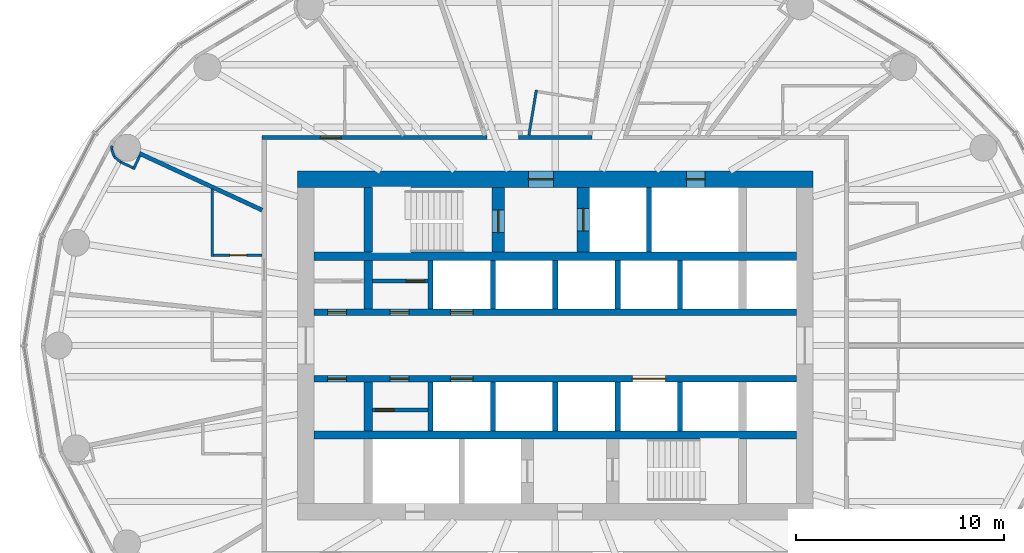
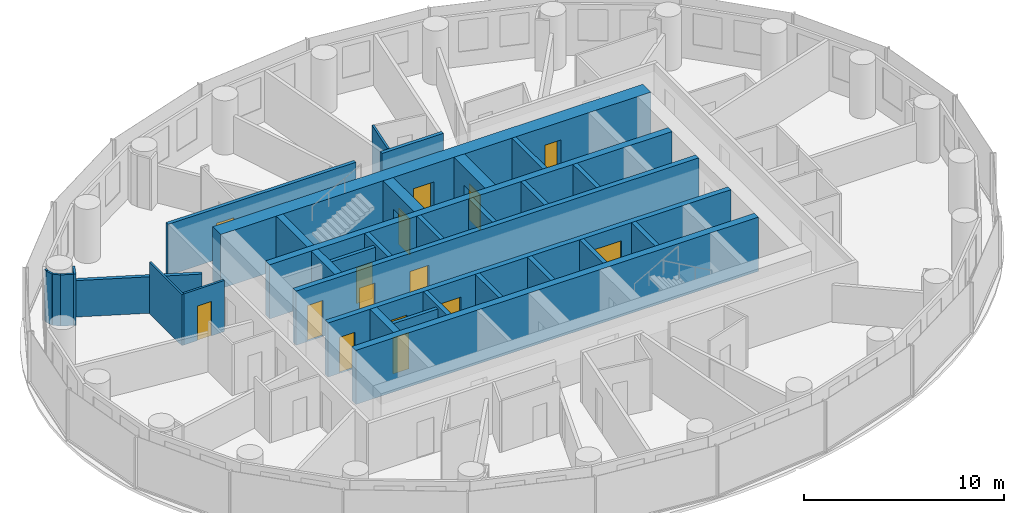
# One storey, part 8 of 13: 34 walls, 15 doors, 15 openings.
"""IFC4 building model written with IfcOpenShell, lengths in metres."""

from ifc_helpers import new_model, si_unit, direction, frame, frame_2d, origin, place, context, subcontext, project, spatial, rectangle, extrude, material, layer, layer_set, type_object, element, fill, save


model = new_model("IFC4")

# Units and contexts
model_context = context("Model", 3, precision=1e-05, world=origin(), true_north=direction((0.0, 1.0)))
body_context = subcontext(model_context, "Body", "Model", "MODEL_VIEW")
ifc_project = project(units=[si_unit("LENGTHUNIT", "METRE"), si_unit("AREAUNIT", "SQUARE_METRE"), si_unit("VOLUMEUNIT", "CUBIC_METRE"), si_unit("PLANEANGLEUNIT", "RADIAN"), si_unit("MASSUNIT", "GRAM", prefix="KILO")], contexts=[model_context])

# Site, building, storey
site_placement = place(None, origin())
site = spatial("IfcSite", under=ifc_project, at=site_placement, CompositionType="ELEMENT")
building_placement = place(site_placement, origin())
building = spatial("IfcBuilding", under=site, at=building_placement, Name="Hankou Lantern Tower", CompositionType="ELEMENT")
storey_placement = place(building_placement, frame((0.0, 0.0, 105.60009765625)))
storey = spatial("IfcBuildingStorey", under=building, at=storey_placement, Name="L26", CompositionType="ELEMENT", Elevation=105.60009765625)

# Wall, openings, doors
ifc_material_1 = material(Name="Concrete C60", Category="concrete")
ifc_layer_1 = layer(ifc_material_1, 0.800048828125)
ifc_layer_set_1 = layer_set([ifc_layer_1], Name="Concrete C60")
wall_type_1 = type_object("IfcWallType", Name="CW2 CORE WALL 800", PredefinedType="SHEAR", material=ifc_layer_set_1)
wall_1_placement = place(storey_placement, frame((-12.39990234375, 8.0, 0.0), z_axis=(0.0, 0.0, 1.0), x_axis=(1.0, 0.0, 0.0)))
wall_1 = element("IfcWall", 1, at=wall_1_placement, inside=storey, type_object=wall_type_1, Name="Core wall north L26", PredefinedType="SHEAR", context=body_context, shape_type="SweptSolid", body=[
    extrude(rectangle(XDim=24.7998046875, YDim=0.800048828125, at=frame_2d((12.39990234375, 0.0))), origin(), (0.0, 0.0, 1.0), 3.2998046875),
])
opening_1_placement = place(wall_1_placement, frame((11.10009765625, 0.0, 0.0)))
opening_1 = element("IfcOpeningElement", 2, at=opening_1_placement, cuts=wall_1, Name="Opening D5", PredefinedType="OPENING", context=body_context, shape_type="SweptSolid", body=[
    extrude(rectangle(XDim=1.199951171875, YDim=2.199951171875, at=frame_2d((0.60009765625, 1.10009765625))), frame((0.0, 0.409912109375, 0.0), z_axis=(0.0, -1.0, 0.0), x_axis=(1.0, 0.0, 0.0)), (0.0, 0.0, 1.0), 0.820068359375),
])
opening_2_placement = place(wall_1_placement, frame((18.699951171875, 0.0, 0.0)))
opening_2 = element("IfcOpeningElement", 3, at=opening_2_placement, cuts=wall_1, Name="Opening D7", PredefinedType="OPENING", context=body_context, shape_type="SweptSolid", body=[
    extrude(rectangle(XDim=0.89990234375, YDim=2.199951171875, at=frame_2d((0.449951171875, 1.10009765625))), frame((0.0, 0.409912109375, 0.0), z_axis=(0.0, -1.0, 0.0), x_axis=(1.0, 0.0, 0.0)), (0.0, 0.0, 1.0), 0.820068359375),
])
ifc_material_2 = material(Name="Steel door leaf", Category="steel")
door_type_1 = type_object("IfcDoorType", Name="D5 STAIR LOBBY DOOR 1200X2200", OperationType="SINGLE_SWING_LEFT", PredefinedType="DOOR", material=ifc_material_2)
door_1_placement = place(opening_1_placement, origin())
door_1 = element("IfcDoor", 4, at=door_1_placement, inside=storey, type_object=door_type_1, Name="Stair A lobby door", OperationType="SINGLE_SWING_LEFT", OverallHeight=2.199951171875, OverallWidth=1.199951171875, PredefinedType="DOOR", context=body_context, shape_type="SweptSolid", body=[
    extrude(rectangle(XDim=1.199951171875, YDim=2.199951171875, at=frame_2d((0.60009765625, 1.10009765625))), frame((0.0, 0.02490234375, 0.0), z_axis=(0.0, -1.0, 0.0), x_axis=(1.0, 0.0, 0.0)), (0.0, 0.0, 1.0), 0.050048828125),
])
fill(opening_1, door_1)
ifc_material_3 = material(Name="Steel door leaf", Category="steel")
door_type_2 = type_object("IfcDoorType", Name="D7 RISER DOOR 900X2200", OperationType="SINGLE_SWING_LEFT", PredefinedType="DOOR", material=ifc_material_3)
door_2_placement = place(opening_2_placement, origin())
door_2 = element("IfcDoor", 5, at=door_2_placement, inside=storey, type_object=door_type_2, Name="Riser N1 door", OperationType="SINGLE_SWING_RIGHT", OverallHeight=2.199951171875, OverallWidth=0.89990234375, PredefinedType="DOOR", context=body_context, shape_type="SweptSolid", body=[
    extrude(rectangle(XDim=0.89990234375, YDim=2.199951171875, at=frame_2d((0.449951171875, 1.10009765625))), frame((0.0, 0.02490234375, 0.0), z_axis=(0.0, -1.0, 0.0), x_axis=(1.0, 0.0, 0.0)), (0.0, 0.0, 1.0), 0.050048828125),
])
fill(opening_2, door_2)

# Walls
ifc_material_4 = material(Name="Concrete C60", Category="concrete")
ifc_layer_2 = layer(ifc_material_4, 0.39990234375)
ifc_layer_set_2 = layer_set([ifc_layer_2], Name="Concrete C60")
wall_type_2 = type_object("IfcWallType", Name="CW4 CORE CROSS WALL 400", PredefinedType="SHEAR", material=ifc_layer_set_2)
for number, where, z_axis, x_axis, name in (
    (6, (-11.60009765625, 4.300048828125, 0.0), (0.0, 0.0, 1.0), (1.0, 0.0, 0.0), "Core band wall north L26"),
    (7, (-11.60009765625, -4.300048828125, 0.0), (0.0, 0.0, 1.0), (1.0, 0.0, 0.0), "Core band wall south L26"),
):
    element("IfcWall", number, at=place(storey_placement, frame(where, z_axis=z_axis, x_axis=x_axis)), inside=storey, type_object=wall_type_2, Name=name, PredefinedType="SHEAR", context=body_context, shape_type="SweptSolid", body=[
        extrude(rectangle(XDim=23.2001953125, YDim=0.39990234375, at=frame_2d((11.60009765625, 0.0))), origin(), (0.0, 0.0, 1.0), 3.2998046875),
    ])
wall_2_placement = place(storey_placement, frame((-9.0, 4.5, 0.0), z_axis=(0.0, 0.0, 1.0), x_axis=(0.0, 1.0, 0.0)))
element("IfcWall", 8, at=wall_2_placement, inside=storey, type_object=wall_type_2, Name="Core strip wall L26", PredefinedType="SHEAR", context=body_context, shape_type="SweptSolid", body=[
    extrude(rectangle(XDim=3.10009765625, YDim=0.39990234375, at=frame_2d((1.550048828125, 0.0))), origin(), (0.0, 0.0, 1.0), 3.2998046875),
])
for number, where, z_axis, x_axis, name in (
    (9, (-9.0, 1.75, 0.0), (0.0, 0.0, 1.0), (0.0, 1.0, 0.0), "Core strip wall L26"),
    (10, (-9.0, -4.10009765625, 0.0), (0.0, 0.0, 1.0), (0.0, 1.0, 0.0), "Core strip wall L26"),
):
    element("IfcWall", number, at=place(storey_placement, frame(where, z_axis=z_axis, x_axis=x_axis)), inside=storey, type_object=wall_type_2, Name=name, PredefinedType="SHEAR", context=body_context, shape_type="SweptSolid", body=[
        extrude(rectangle(XDim=2.35009765625, YDim=0.39990234375, at=frame_2d((1.175048828125, 0.0))), origin(), (0.0, 0.0, 1.0), 3.2998046875),
    ])

# Wall, openings, doors
ifc_material_5 = material(Name="Concrete C60", Category="concrete")
ifc_layer_3 = layer(ifc_material_5, 0.300048828125)
ifc_layer_set_3 = layer_set([ifc_layer_3], Name="Concrete C60")
wall_type_3 = type_object("IfcWallType", Name="CW5 LIFT LOBBY WALL 300", PredefinedType="SHEAR", material=ifc_layer_set_3)
wall_3_placement = place(storey_placement, frame((-11.60009765625, 1.60009765625, 0.0), z_axis=(0.0, 0.0, 1.0), x_axis=(1.0, 0.0, 0.0)))
wall_3 = element("IfcWall", 11, at=wall_3_placement, inside=storey, type_object=wall_type_3, Name="Lift lobby wall north L26", PredefinedType="SHEAR", context=body_context, shape_type="SweptSolid", body=[
    extrude(rectangle(XDim=23.2001953125, YDim=0.300048828125, at=frame_2d((11.60009765625, 0.0))), origin(), (0.0, 0.0, 1.0), 3.2998046875),
])
opening_3_placement = place(wall_3_placement, frame((6.550048828125, 0.0, 0.0)))
opening_3 = element("IfcOpeningElement", 12, at=opening_3_placement, cuts=wall_3, Name="Opening LD1", PredefinedType="OPENING", context=body_context, shape_type="SweptSolid", body=[
    extrude(rectangle(XDim=1.10009765625, YDim=2.199951171875, at=frame_2d((0.550048828125, 1.10009765625))), frame((0.0, 0.159912109375, 0.0), z_axis=(0.0, -1.0, 0.0), x_axis=(1.0, 0.0, 0.0)), (0.0, 0.0, 1.0), 0.320068359375),
])
opening_4_placement = place(wall_3_placement, frame((3.64990234375, 0.0, 0.0)))
opening_4 = element("IfcOpeningElement", 13, at=opening_4_placement, cuts=wall_3, Name="Opening D30", PredefinedType="OPENING", context=body_context, shape_type="SweptSolid", body=[
    extrude(rectangle(XDim=0.89990234375, YDim=2.199951171875, at=frame_2d((0.449951171875, 1.10009765625))), frame((0.0, 0.159912109375, 0.0), z_axis=(0.0, -1.0, 0.0), x_axis=(1.0, 0.0, 0.0)), (0.0, 0.0, 1.0), 0.320068359375),
])
opening_5_placement = place(wall_3_placement, frame((0.64990234375, 0.0, 0.0)))
opening_5 = element("IfcOpeningElement", 14, at=opening_5_placement, cuts=wall_3, Name="Opening D30", PredefinedType="OPENING", context=body_context, shape_type="SweptSolid", body=[
    extrude(rectangle(XDim=0.89990234375, YDim=2.199951171875, at=frame_2d((0.449951171875, 1.10009765625))), frame((0.0, 0.159912109375, 0.0), z_axis=(0.0, -1.0, 0.0), x_axis=(1.0, 0.0, 0.0)), (0.0, 0.0, 1.0), 0.320068359375),
])
ifc_material_6 = material(Name="Steel door leaf", Category="steel")
door_type_3 = type_object("IfcDoorType", Name="D30 CORE ROOM DOOR 900X2200", OperationType="SINGLE_SWING_LEFT", PredefinedType="DOOR", material=ifc_material_6)
door_3_placement = place(opening_4_placement, origin())
door_3 = element("IfcDoor", 15, at=door_3_placement, inside=storey, type_object=door_type_3, Name="Housekeeping and linen store door", OperationType="SINGLE_SWING_LEFT", OverallHeight=2.199951171875, OverallWidth=0.89990234375, PredefinedType="DOOR", context=body_context, shape_type="SweptSolid", body=[
    extrude(rectangle(XDim=0.89990234375, YDim=2.199951171875, at=frame_2d((0.449951171875, 1.10009765625))), frame((0.0, 0.02490234375, 0.0), z_axis=(0.0, -1.0, 0.0), x_axis=(1.0, 0.0, 0.0)), (0.0, 0.0, 1.0), 0.050048828125),
])
fill(opening_4, door_3)
door_4_placement = place(opening_5_placement, origin())
door_4 = element("IfcDoor", 16, at=door_4_placement, inside=storey, type_object=door_type_3, Name="Guest pantry and ice room door", OperationType="SINGLE_SWING_LEFT", OverallHeight=2.199951171875, OverallWidth=0.89990234375, PredefinedType="DOOR", context=body_context, shape_type="SweptSolid", body=[
    extrude(rectangle(XDim=0.89990234375, YDim=2.199951171875, at=frame_2d((0.449951171875, 1.10009765625))), frame((0.0, 0.02490234375, 0.0), z_axis=(0.0, -1.0, 0.0), x_axis=(1.0, 0.0, 0.0)), (0.0, 0.0, 1.0), 0.050048828125),
])
fill(opening_5, door_4)
ifc_material_7 = material(Name="Steel door leaf", Category="steel")
door_type_4 = type_object("IfcDoorType", Name="LD1 LIFT LANDING DOOR 1100X2200", OperationType="DOUBLE_DOOR_SLIDING", PredefinedType="DOOR", material=ifc_material_7)
door_5_placement = place(opening_3_placement, origin())
door_5 = element("IfcDoor", 17, at=door_5_placement, inside=storey, type_object=door_type_4, Name="Lift M1 landing door", OperationType="DOUBLE_DOOR_SLIDING", OverallHeight=2.199951171875, OverallWidth=1.10009765625, PredefinedType="DOOR", context=body_context, shape_type="SweptSolid", body=[
    extrude(rectangle(XDim=1.10009765625, YDim=2.199951171875, at=frame_2d((0.550048828125, 1.10009765625))), frame((0.0, 0.02490234375, 0.0), z_axis=(0.0, -1.0, 0.0), x_axis=(1.0, 0.0, 0.0)), (0.0, 0.0, 1.0), 0.050048828125),
])
fill(opening_3, door_5)

wall_4_placement = place(storey_placement, frame((-11.60009765625, -1.60009765625, 0.0), z_axis=(0.0, 0.0, 1.0), x_axis=(1.0, 0.0, 0.0)))
wall_4 = element("IfcWall", 18, at=wall_4_placement, inside=storey, type_object=wall_type_3, Name="Lift lobby wall south L26", PredefinedType="SHEAR", context=body_context, shape_type="SweptSolid", body=[
    extrude(rectangle(XDim=23.2001953125, YDim=0.300048828125, at=frame_2d((11.60009765625, 0.0))), origin(), (0.0, 0.0, 1.0), 3.2998046875),
])
opening_6_placement = place(wall_4_placement, frame((6.550048828125, 0.0, 0.0)))
opening_6 = element("IfcOpeningElement", 19, at=opening_6_placement, cuts=wall_4, Name="Opening LD1", PredefinedType="OPENING", context=body_context, shape_type="SweptSolid", body=[
    extrude(rectangle(XDim=1.10009765625, YDim=2.199951171875, at=frame_2d((0.550048828125, 1.10009765625))), frame((0.0, 0.159912109375, 0.0), z_axis=(0.0, -1.0, 0.0), x_axis=(1.0, 0.0, 0.0)), (0.0, 0.0, 1.0), 0.320068359375),
])
opening_7_placement = place(wall_4_placement, frame((15.300048828125, 0.0, 0.0)))
opening_7 = element("IfcOpeningElement", 20, at=opening_7_placement, cuts=wall_4, Name="Opening LD4", PredefinedType="OPENING", context=body_context, shape_type="SweptSolid", body=[
    extrude(rectangle(XDim=1.60009765625, YDim=2.39990234375, at=frame_2d((0.800048828125, 1.199951171875))), frame((0.0, 0.159912109375, 0.0), z_axis=(0.0, -1.0, 0.0), x_axis=(1.0, 0.0, 0.0)), (0.0, 0.0, 1.0), 0.320068359375),
])
opening_8_placement = place(wall_4_placement, frame((0.64990234375, 0.0, 0.0)))
opening_8 = element("IfcOpeningElement", 21, at=opening_8_placement, cuts=wall_4, Name="Opening D30", PredefinedType="OPENING", context=body_context, shape_type="SweptSolid", body=[
    extrude(rectangle(XDim=0.89990234375, YDim=2.199951171875, at=frame_2d((0.449951171875, 1.10009765625))), frame((0.0, 0.159912109375, 0.0), z_axis=(0.0, -1.0, 0.0), x_axis=(1.0, 0.0, 0.0)), (0.0, 0.0, 1.0), 0.320068359375),
])
opening_9_placement = place(wall_4_placement, frame((3.64990234375, 0.0, 0.0)))
opening_9 = element("IfcOpeningElement", 22, at=opening_9_placement, cuts=wall_4, Name="Opening D30", PredefinedType="OPENING", context=body_context, shape_type="SweptSolid", body=[
    extrude(rectangle(XDim=0.89990234375, YDim=2.199951171875, at=frame_2d((0.449951171875, 1.10009765625))), frame((0.0, 0.159912109375, 0.0), z_axis=(0.0, -1.0, 0.0), x_axis=(1.0, 0.0, 0.0)), (0.0, 0.0, 1.0), 0.320068359375),
])
door_6_placement = place(opening_8_placement, origin())
door_6 = element("IfcDoor", 23, at=door_6_placement, inside=storey, type_object=door_type_3, Name="Vending room door", OperationType="SINGLE_SWING_LEFT", OverallHeight=2.199951171875, OverallWidth=0.89990234375, PredefinedType="DOOR", context=body_context, shape_type="SweptSolid", body=[
    extrude(rectangle(XDim=0.89990234375, YDim=2.199951171875, at=frame_2d((0.449951171875, 1.10009765625))), frame((0.0, 0.02490234375, 0.0), z_axis=(0.0, -1.0, 0.0), x_axis=(1.0, 0.0, 0.0)), (0.0, 0.0, 1.0), 0.050048828125),
])
fill(opening_8, door_6)
door_7_placement = place(opening_9_placement, origin())
door_7 = element("IfcDoor", 24, at=door_7_placement, inside=storey, type_object=door_type_3, Name="Room service pantry door", OperationType="SINGLE_SWING_LEFT", OverallHeight=2.199951171875, OverallWidth=0.89990234375, PredefinedType="DOOR", context=body_context, shape_type="SweptSolid", body=[
    extrude(rectangle(XDim=0.89990234375, YDim=2.199951171875, at=frame_2d((0.449951171875, 1.10009765625))), frame((0.0, 0.02490234375, 0.0), z_axis=(0.0, -1.0, 0.0), x_axis=(1.0, 0.0, 0.0)), (0.0, 0.0, 1.0), 0.050048828125),
])
fill(opening_9, door_7)
door_8_placement = place(opening_6_placement, origin())
door_8 = element("IfcDoor", 25, at=door_8_placement, inside=storey, type_object=door_type_4, Name="Lift M2 landing door", OperationType="DOUBLE_DOOR_SLIDING", OverallHeight=2.199951171875, OverallWidth=1.10009765625, PredefinedType="DOOR", context=body_context, shape_type="SweptSolid", body=[
    extrude(rectangle(XDim=1.10009765625, YDim=2.199951171875, at=frame_2d((0.550048828125, 1.10009765625))), frame((0.0, 0.02490234375, 0.0), z_axis=(0.0, -1.0, 0.0), x_axis=(1.0, 0.0, 0.0)), (0.0, 0.0, 1.0), 0.050048828125),
])
fill(opening_6, door_8)
ifc_material_8 = material(Name="Steel door leaf", Category="steel")
door_type_5 = type_object("IfcDoorType", Name="LD4 SERVICE LIFT LANDING DOOR 1600X2400", OperationType="DOUBLE_DOOR_SLIDING", PredefinedType="DOOR", material=ifc_material_8)
door_9_placement = place(opening_7_placement, origin())
door_9 = element("IfcDoor", 26, at=door_9_placement, inside=storey, type_object=door_type_5, Name="Lift SV1 landing door", OperationType="DOUBLE_DOOR_SLIDING", OverallHeight=2.39990234375, OverallWidth=1.60009765625, PredefinedType="DOOR", context=body_context, shape_type="SweptSolid", body=[
    extrude(rectangle(XDim=1.60009765625, YDim=2.39990234375, at=frame_2d((0.800048828125, 1.199951171875))), frame((0.0, 0.02490234375, 0.0), z_axis=(0.0, -1.0, 0.0), x_axis=(1.0, 0.0, 0.0)), (0.0, 0.0, 1.0), 0.050048828125),
])
fill(opening_7, door_9)

# Wall, opening, door
ifc_material_9 = material(Name="Concrete C60", Category="concrete")
ifc_layer_4 = layer(ifc_material_9, 0.60009765625)
ifc_layer_set_4 = layer_set([ifc_layer_4], Name="Concrete C60")
wall_type_4 = type_object("IfcWallType", Name="CW6 STAIR AND SHAFT WALL 600", PredefinedType="SHEAR", material=ifc_layer_set_4)
wall_5_placement = place(storey_placement, frame((-2.75, 4.5, 0.0), z_axis=(0.0, 0.0, 1.0), x_axis=(0.0, 1.0, 0.0)))
wall_5 = element("IfcWall", 27, at=wall_5_placement, inside=storey, type_object=wall_type_4, Name="Stair wall L26", PredefinedType="SHEAR", context=body_context, shape_type="SweptSolid", body=[
    extrude(rectangle(XDim=3.10009765625, YDim=0.60009765625, at=frame_2d((1.550048828125, 0.0))), origin(), (0.0, 0.0, 1.0), 3.2998046875),
])
opening_10_placement = place(wall_5_placement, frame((0.925048828125, 0.0, 0.0)))
opening_10 = element("IfcOpeningElement", 28, at=opening_10_placement, cuts=wall_5, Name="Opening D4", PredefinedType="OPENING", context=body_context, shape_type="SweptSolid", body=[
    extrude(rectangle(XDim=1.10009765625, YDim=2.199951171875, at=frame_2d((0.550048828125, 1.10009765625))), frame((0.0, 0.31005859375, 0.0), z_axis=(0.0, -1.0, 0.0), x_axis=(1.0, 0.0, 0.0)), (0.0, 0.0, 1.0), 0.6201171875),
])
ifc_material_10 = material(Name="Steel door leaf", Category="steel")
door_type_6 = type_object("IfcDoorType", Name="D4 STAIR DOOR 1100X2200", OperationType="SINGLE_SWING_LEFT", PredefinedType="DOOR", material=ifc_material_10)
door_10_placement = place(opening_10_placement, origin())
door_10 = element("IfcDoor", 29, at=door_10_placement, inside=storey, type_object=door_type_6, Name="Stair A door", OperationType="SINGLE_SWING_LEFT", OverallHeight=2.199951171875, OverallWidth=1.10009765625, PredefinedType="DOOR", context=body_context, shape_type="SweptSolid", body=[
    extrude(rectangle(XDim=1.10009765625, YDim=2.199951171875, at=frame_2d((0.550048828125, 1.10009765625))), frame((0.0, 0.02490234375, 0.0), z_axis=(0.0, -1.0, 0.0), x_axis=(1.0, 0.0, 0.0)), (0.0, 0.0, 1.0), 0.050048828125),
])
fill(opening_10, door_10)

wall_6_placement = place(storey_placement, frame((1.35009765625, 4.5, 0.0), z_axis=(0.0, 0.0, 1.0), x_axis=(0.0, 1.0, 0.0)))
wall_6 = element("IfcWall", 30, at=wall_6_placement, inside=storey, type_object=wall_type_4, Name="Firefighting lift shaft wall L26", PredefinedType="SHEAR", context=body_context, shape_type="SweptSolid", body=[
    extrude(rectangle(XDim=3.10009765625, YDim=0.60009765625, at=frame_2d((1.550048828125, 0.0))), origin(), (0.0, 0.0, 1.0), 3.2998046875),
])
opening_11_placement = place(wall_6_placement, frame((1.0, 0.0, 0.0)))
opening_11 = element("IfcOpeningElement", 31, at=opening_11_placement, cuts=wall_6, Name="Opening LD2", PredefinedType="OPENING", context=body_context, shape_type="SweptSolid", body=[
    extrude(rectangle(XDim=1.10009765625, YDim=2.199951171875, at=frame_2d((0.550048828125, 1.10009765625))), frame((0.0, 0.31005859375, 0.0), z_axis=(0.0, -1.0, 0.0), x_axis=(1.0, 0.0, 0.0)), (0.0, 0.0, 1.0), 0.6201171875),
])
ifc_material_11 = material(Name="Steel door leaf", Category="steel")
door_type_7 = type_object("IfcDoorType", Name="LD2 FIREFIGHTING LIFT LANDING DOOR 1100X2200", OperationType="DOUBLE_DOOR_SLIDING", PredefinedType="DOOR", material=ifc_material_11)
door_11_placement = place(opening_11_placement, origin())
door_11 = element("IfcDoor", 32, at=door_11_placement, inside=storey, type_object=door_type_7, Name="Firefighting lift FL1 landing door", OperationType="DOUBLE_DOOR_SLIDING", OverallHeight=2.199951171875, OverallWidth=1.10009765625, PredefinedType="DOOR", context=body_context, shape_type="SweptSolid", body=[
    extrude(rectangle(XDim=1.10009765625, YDim=2.199951171875, at=frame_2d((0.550048828125, 1.10009765625))), frame((0.0, 0.02490234375, 0.0), z_axis=(0.0, -1.0, 0.0), x_axis=(1.0, 0.0, 0.0)), (0.0, 0.0, 1.0), 0.050048828125),
])
fill(opening_11, door_11)

# Wall
ifc_material_12 = material(Name="Masonry lightweight concrete block", Category="masonry")
ifc_layer_5 = layer(ifc_material_12, 0.199951171875)
ifc_layer_set_5 = layer_set([ifc_layer_5], Name="Masonry lightweight concrete block")
wall_type_5 = type_object("IfcWallType", Name="IW1 GUEST ROOM PARTY WALL 200", PredefinedType="PARTITIONING", material=ifc_layer_set_5)
wall_7_placement = place(storey_placement, frame((-14.10009765625, 6.512451171875, 0.0), z_axis=(0.0, 0.0, 1.0), x_axis=(-0.907833019998, 0.419331858797, 0.0)))
element("IfcWall", 33, at=wall_7_placement, inside=storey, type_object=wall_type_5, Name="Party wall R11", PredefinedType="PARTITIONING", context=body_context, shape_type="SweptSolid", body=[
    extrude(rectangle(XDim=6.505126953125, YDim=0.199951171875, at=frame_2d((3.25244140625, 0.0))), origin(), (0.0, 0.0, 1.0), 2.219970703125),
])

# Wall, opening, door
ifc_material_13 = material(Name="Masonry lightweight concrete block", Category="masonry")
ifc_layer_6 = layer(ifc_material_13, 0.199951171875)
ifc_layer_set_6 = layer_set([ifc_layer_6], Name="Masonry lightweight concrete block")
wall_type_6 = type_object("IfcWallType", Name="IW2 CORRIDOR WALL 200", PredefinedType="PARTITIONING", material=ifc_layer_set_6)
wall_8_placement = place(storey_placement, frame((-14.10009765625, 10.0, 0.0), z_axis=(0.0, 0.0, 1.0), x_axis=(1.0, 0.0, 0.0)))
wall_8 = element("IfcWall", 34, at=wall_8_placement, inside=storey, type_object=wall_type_6, Name="Corridor wall north", PredefinedType="PARTITIONING", context=body_context, shape_type="SweptSolid", body=[
    extrude(rectangle(XDim=10.817138671875, YDim=0.199951171875, at=frame_2d((5.40869140625, 0.0))), origin(), (0.0, 0.0, 1.0), 3.119873046875),
])
opening_12_placement = place(wall_8_placement, frame((2.801025390625, 0.0, 0.0)))
opening_12 = element("IfcOpeningElement", 35, at=opening_12_placement, cuts=wall_8, Name="Opening D2", PredefinedType="OPENING", context=body_context, shape_type="SweptSolid", body=[
    extrude(rectangle(XDim=1.0, YDim=2.199951171875, at=frame_2d((0.5, 1.10009765625))), frame((0.0, 0.10986328125, 0.0), z_axis=(0.0, -1.0, 0.0), x_axis=(1.0, 0.0, 0.0)), (0.0, 0.0, 1.0), 0.219970703125),
])
ifc_material_14 = material(Name="Steel door leaf", Category="steel")
door_type_8 = type_object("IfcDoorType", Name="D2 SUITE DOOR 1000X2200", OperationType="SINGLE_SWING_LEFT", PredefinedType="DOOR", material=ifc_material_14)
door_12_placement = place(opening_12_placement, origin())
door_12 = element("IfcDoor", 36, at=door_12_placement, inside=storey, type_object=door_type_8, Name="Suite door 2605", OperationType="SINGLE_SWING_RIGHT", OverallHeight=2.199951171875, OverallWidth=1.0, PredefinedType="DOOR", context=body_context, shape_type="SweptSolid", body=[
    extrude(rectangle(XDim=1.0, YDim=2.199951171875, at=frame_2d((0.5, 1.10009765625))), frame((0.0, 0.02490234375, 0.0), z_axis=(0.0, -1.0, 0.0), x_axis=(1.0, 0.0, 0.0)), (0.0, 0.0, 1.0), 0.050048828125),
])
fill(opening_12, door_12)

# Walls
wall_9_placement = place(storey_placement, frame((-1.76513671875, 10.0, 0.0), z_axis=(0.0, 0.0, 1.0), x_axis=(1.0, 0.0, 0.0)))
element("IfcWall", 37, at=wall_9_placement, inside=storey, type_object=wall_type_6, Name="Corridor wall north", PredefinedType="PARTITIONING", context=body_context, shape_type="SweptSolid", body=[
    extrude(rectangle(XDim=3.5302734375, YDim=0.199951171875, at=frame_2d((1.76513671875, 0.0))), origin(), (0.0, 0.0, 1.0), 3.119873046875),
])
ifc_material_15 = material(Name="Masonry lightweight concrete block", Category="masonry")
ifc_layer_7 = layer(ifc_material_15, 0.1201171875)
ifc_layer_set_7 = layer_set([ifc_layer_7], Name="Masonry lightweight concrete block")
wall_type_7 = type_object("IfcWallType", Name="IW3 BATHROOM WALL 120", PredefinedType="PARTITIONING", material=ifc_layer_set_7)
wall_10_placement = place(storey_placement, frame((-1.271240234375, 10.1162109375, 0.0), z_axis=(0.0, 0.0, 1.0), x_axis=(0.162672481395, 0.986680122328, 0.0)))
element("IfcWall", 38, at=wall_10_placement, inside=storey, type_object=wall_type_7, Name="Box wall 2602 1", PredefinedType="PARTITIONING", context=body_context, shape_type="SweptSolid", body=[
    extrude(rectangle(XDim=2.20166015625, YDim=0.1201171875, at=frame_2d((1.100830078125, 0.0))), origin(), (0.0, 0.0, 1.0), 3.119873046875),
])
wall_11_placement = place(storey_placement, frame((-16.5, 7.52099609375, 0.0), z_axis=(0.0, 0.0, 1.0), x_axis=(0.0, -1.0, 0.0)))
element("IfcWall", 39, at=wall_11_placement, inside=storey, type_object=wall_type_7, Name="Box wall 2606 1", PredefinedType="PARTITIONING", context=body_context, shape_type="SweptSolid", body=[
    extrude(rectangle(XDim=3.24853515625, YDim=0.1201171875, at=frame_2d((1.624267578125, 0.0))), origin(), (0.0, 0.0, 1.0), 3.119873046875),
])

# Wall, opening, door
wall_12_placement = place(storey_placement, frame((-14.10009765625, 4.33251953125, 0.0), z_axis=(0.0, 0.0, 1.0), x_axis=(-1.0, 0.0, 0.0)))
wall_12 = element("IfcWall", 40, at=wall_12_placement, inside=storey, type_object=wall_type_7, Name="Box wall 2606 1", PredefinedType="PARTITIONING", context=body_context, shape_type="SweptSolid", body=[
    extrude(rectangle(XDim=2.33984375, YDim=0.1201171875, at=frame_2d((1.169921875, 0.0))), origin(), (0.0, 0.0, 1.0), 3.119873046875),
])
opening_13_placement = place(wall_12_placement, frame((0.75, 0.0, 0.0)))
opening_13 = element("IfcOpeningElement", 41, at=opening_13_placement, cuts=wall_12, Name="Opening D3", PredefinedType="OPENING", context=body_context, shape_type="SweptSolid", body=[
    extrude(rectangle(XDim=0.800048828125, YDim=2.10009765625, at=frame_2d((0.39990234375, 1.050048828125))), frame((0.0, 0.070068359375, 0.0), z_axis=(0.0, -1.0, 0.0), x_axis=(1.0, 0.0, 0.0)), (0.0, 0.0, 1.0), 0.14013671875),
])
ifc_material_16 = material(Name="Timber door leaf", Category="wood")
door_type_9 = type_object("IfcDoorType", Name="D3 BATHROOM DOOR 800X2100", OperationType="SINGLE_SWING_LEFT", PredefinedType="DOOR", material=ifc_material_16)
door_13_placement = place(opening_13_placement, origin())
door_13 = element("IfcDoor", 42, at=door_13_placement, inside=storey, type_object=door_type_9, Name="En-suite bathroom 2606 door", OperationType="SINGLE_SWING_LEFT", OverallHeight=2.10009765625, OverallWidth=0.800048828125, PredefinedType="DOOR", context=body_context, shape_type="SweptSolid", body=[
    extrude(rectangle(XDim=0.800048828125, YDim=2.10009765625, at=frame_2d((0.39990234375, 1.050048828125))), frame((0.0, 0.02490234375, 0.0), z_axis=(0.0, -1.0, 0.0), x_axis=(1.0, 0.0, 0.0)), (0.0, 0.0, 1.0), 0.050048828125),
])
fill(opening_13, door_13)

# Walls
ifc_material_17 = material(Name="Masonry lightweight concrete block", Category="masonry")
ifc_layer_8 = layer(ifc_material_17, 0.1201171875)
ifc_layer_set_8 = layer_set([ifc_layer_8], Name="Masonry lightweight concrete block")
wall_type_8 = type_object("IfcWallType", Name="IW4 PARTITION 120", PredefinedType="PARTITIONING", material=ifc_layer_set_8)
wall_13_placement = place(storey_placement, frame((-19.992919921875, 9.124267578125, 0.0), z_axis=(0.0, 0.0, 1.0), x_axis=(-0.419447394118, -0.90777964483, 0.0)))
element("IfcWall", 43, at=wall_13_placement, inside=storey, type_object=wall_type_8, Name="Column casing R11 return", PredefinedType="PARTITIONING", context=body_context, shape_type="SweptSolid", body=[
    extrude(rectangle(XDim=0.7158203125, YDim=0.1201171875, at=frame_2d((0.35791015625, 0.0))), origin(), (0.0, 0.0, 1.0), 3.119873046875),
])
wall_14_placement = place(storey_placement, frame((-20.322509765625, 8.553955078125, 0.0), z_axis=(0.0, 0.0, 1.0), x_axis=(-0.907750418698, 0.419510640333, 0.0)))
element("IfcWall", 44, at=wall_14_placement, inside=storey, type_object=wall_type_8, Name="Column casing R11", PredefinedType="PARTITIONING", context=body_context, shape_type="SweptSolid", body=[
    extrude(rectangle(XDim=0.650146484375, YDim=0.1201171875, at=frame_2d((0.3251953125, 0.0))), origin(), (0.0, 0.0, 1.0), 3.119873046875),
])
wall_15_placement = place(storey_placement, frame((-20.91259765625, 8.82666015625, 0.0), z_axis=(0.0, 0.0, 1.0), x_axis=(-0.76847706684, 0.639877330229, 0.0)))
element("IfcWall", 45, at=wall_15_placement, inside=storey, type_object=wall_type_8, Name="Column casing R11", PredefinedType="PARTITIONING", context=body_context, shape_type="SweptSolid", body=[
    extrude(rectangle(XDim=0.39111328125, YDim=0.1201171875, at=frame_2d((0.195556640625, 0.0))), origin(), (0.0, 0.0, 1.0), 3.119873046875),
])
wall_16_placement = place(storey_placement, frame((-21.213134765625, 9.076904296875, 0.0), z_axis=(0.0, 0.0, 1.0), x_axis=(-0.345647532133, 0.938364419365, 0.0)))
element("IfcWall", 46, at=wall_16_placement, inside=storey, type_object=wall_type_8, Name="Column casing R11", PredefinedType="PARTITIONING", context=body_context, shape_type="SweptSolid", body=[
    extrude(rectangle(XDim=0.391357421875, YDim=0.1201171875, at=frame_2d((0.19580078125, 0.0))), origin(), (0.0, 0.0, 1.0), 3.119873046875),
])
wall_17_placement = place(storey_placement, frame((-21.348388671875, 9.444091796875, 0.0), z_axis=(0.0, 0.0, 1.0), x_axis=(0.170349493321, 0.985383707053, 0.0)))
element("IfcWall", 47, at=wall_17_placement, inside=storey, type_object=wall_type_8, Name="Column casing R11", PredefinedType="PARTITIONING", context=body_context, shape_type="SweptSolid", body=[
    extrude(rectangle(XDim=0.166259765625, YDim=0.1201171875, at=frame_2d((0.0830078125, 0.0))), origin(), (0.0, 0.0, 1.0), 3.119873046875),
])

# Wall, opening, door
ifc_material_18 = material(Name="Masonry lightweight concrete block", Category="masonry")
ifc_layer_9 = layer(ifc_material_18, 0.199951171875)
ifc_layer_set_9 = layer_set([ifc_layer_9], Name="Masonry lightweight concrete block")
wall_type_9 = type_object("IfcWallType", Name="IW8 PARTITION 200", PredefinedType="PARTITIONING", material=ifc_layer_set_9)
wall_18_placement = place(storey_placement, frame((-8.800048828125, 3.10009765625, 0.0), z_axis=(0.0, 0.0, 1.0), x_axis=(1.0, 0.0, 0.0)))
wall_18 = element("IfcWall", 48, at=wall_18_placement, inside=storey, type_object=wall_type_9, Name="Partition housekeeping and linen store", PredefinedType="PARTITIONING", context=body_context, shape_type="SweptSolid", body=[
    extrude(rectangle(XDim=2.675048828125, YDim=0.199951171875, at=frame_2d((1.33740234375, 0.0))), origin(), (0.0, 0.0, 1.0), 3.119873046875),
])
opening_14_placement = place(wall_18_placement, frame((1.625, 0.0, 0.0)))
opening_14 = element("IfcOpeningElement", 49, at=opening_14_placement, cuts=wall_18, Name="Opening D12", PredefinedType="OPENING", context=body_context, shape_type="SweptSolid", body=[
    extrude(rectangle(XDim=0.89990234375, YDim=2.199951171875, at=frame_2d((0.449951171875, 1.10009765625))), frame((0.0, 0.10986328125, 0.0), z_axis=(0.0, -1.0, 0.0), x_axis=(1.0, 0.0, 0.0)), (0.0, 0.0, 1.0), 0.219970703125),
])
ifc_material_19 = material(Name="Steel door leaf", Category="steel")
door_type_10 = type_object("IfcDoorType", Name="D12 STORE DOOR 900X2200", OperationType="SINGLE_SWING_LEFT", PredefinedType="DOOR", material=ifc_material_19)
door_14_placement = place(opening_14_placement, origin())
door_14 = element("IfcDoor", 50, at=door_14_placement, inside=storey, type_object=door_type_10, Name="Chemical cupboard door", OperationType="SINGLE_SWING_RIGHT", OverallHeight=2.199951171875, OverallWidth=0.89990234375, PredefinedType="DOOR", context=body_context, shape_type="SweptSolid", body=[
    extrude(rectangle(XDim=0.89990234375, YDim=2.199951171875, at=frame_2d((0.449951171875, 1.10009765625))), frame((0.0, 0.02490234375, 0.0), z_axis=(0.0, -1.0, 0.0), x_axis=(1.0, 0.0, 0.0)), (0.0, 0.0, 1.0), 0.050048828125),
])
fill(opening_14, door_14)

wall_19_placement = place(storey_placement, frame((-8.800048828125, -3.10009765625, 0.0), z_axis=(0.0, 0.0, 1.0), x_axis=(1.0, 0.0, 0.0)))
wall_19 = element("IfcWall", 51, at=wall_19_placement, inside=storey, type_object=wall_type_9, Name="Partition room service pantry", PredefinedType="PARTITIONING", context=body_context, shape_type="SweptSolid", body=[
    extrude(rectangle(XDim=2.675048828125, YDim=0.199951171875, at=frame_2d((1.33740234375, 0.0))), origin(), (0.0, 0.0, 1.0), 3.119873046875),
])
opening_15_placement = place(wall_19_placement, frame((0.14990234375, 0.0, 0.0)))
opening_15 = element("IfcOpeningElement", 52, at=opening_15_placement, cuts=wall_19, Name="Opening D12", PredefinedType="OPENING", context=body_context, shape_type="SweptSolid", body=[
    extrude(rectangle(XDim=0.89990234375, YDim=2.199951171875, at=frame_2d((0.449951171875, 1.10009765625))), frame((0.0, 0.10986328125, 0.0), z_axis=(0.0, -1.0, 0.0), x_axis=(1.0, 0.0, 0.0)), (0.0, 0.0, 1.0), 0.219970703125),
])
door_15_placement = place(opening_15_placement, origin())
door_15 = element("IfcDoor", 53, at=door_15_placement, inside=storey, type_object=door_type_10, Name="Room service cupboard door", OperationType="SINGLE_SWING_LEFT", OverallHeight=2.199951171875, OverallWidth=0.89990234375, PredefinedType="DOOR", context=body_context, shape_type="SweptSolid", body=[
    extrude(rectangle(XDim=0.89990234375, YDim=2.199951171875, at=frame_2d((0.449951171875, 1.10009765625))), frame((0.0, 0.02490234375, 0.0), z_axis=(0.0, -1.0, 0.0), x_axis=(1.0, 0.0, 0.0)), (0.0, 0.0, 1.0), 0.050048828125),
])
fill(opening_15, door_15)

# Walls
ifc_material_20 = material(Name="Masonry autoclaved aerated concrete block", Category="masonry")
ifc_layer_10 = layer(ifc_material_20, 0.25)
ifc_layer_set_10 = layer_set([ifc_layer_10], Name="Masonry autoclaved aerated concrete block")
wall_type_10 = type_object("IfcWallType", Name="SW1 SHAFT BLOCK WALL 250", PredefinedType="PARTITIONING", material=ifc_layer_set_10)
wall_20_placement = place(storey_placement, frame((4.5, 4.5, 0.0), z_axis=(0.0, 0.0, 1.0), x_axis=(0.0, 1.0, 0.0)))
element("IfcWall", 54, at=wall_20_placement, inside=storey, type_object=wall_type_10, Name="Riser wall L26", PredefinedType="PARTITIONING", context=body_context, shape_type="SweptSolid", body=[
    extrude(rectangle(XDim=3.10009765625, YDim=0.25, at=frame_2d((1.550048828125, 0.0))), origin(), (0.0, 0.0, 1.0), 3.2998046875),
])
for number, where, z_axis, x_axis, name in (
    (55, (-6.0, 1.75, 0.0), (0.0, 0.0, 1.0), (0.0, 1.0, 0.0), "Lift shaft wall L26"),
    (56, (-3.0, 1.75, 0.0), (0.0, 0.0, 1.0), (0.0, 1.0, 0.0), "Lift shaft wall L26"),
    (57, (0.0, 1.75, 0.0), (0.0, 0.0, 1.0), (0.0, 1.0, 0.0), "Lift shaft wall L26"),
    (58, (3.0, 1.75, 0.0), (0.0, 0.0, 1.0), (0.0, 1.0, 0.0), "Lift shaft wall L26"),
    (59, (6.0, 1.75, 0.0), (0.0, 0.0, 1.0), (0.0, 1.0, 0.0), "Lift shaft wall L26"),
    (60, (-6.0, -4.10009765625, 0.0), (0.0, 0.0, 1.0), (0.0, 1.0, 0.0), "Lift shaft wall L26"),
    (61, (-3.0, -4.10009765625, 0.0), (0.0, 0.0, 1.0), (0.0, 1.0, 0.0), "Lift shaft wall L26"),
    (62, (0.0, -4.10009765625, 0.0), (0.0, 0.0, 1.0), (0.0, 1.0, 0.0), "Lift shaft wall L26"),
    (63, (3.0, -4.10009765625, 0.0), (0.0, 0.0, 1.0), (0.0, 1.0, 0.0), "Lift shaft wall L26"),
    (64, (6.0, -4.10009765625, 0.0), (0.0, 0.0, 1.0), (0.0, 1.0, 0.0), "Lift shaft wall L26"),
):
    element("IfcWall", number, at=place(storey_placement, frame(where, z_axis=z_axis, x_axis=x_axis)), inside=storey, type_object=wall_type_10, Name=name, PredefinedType="PARTITIONING", context=body_context, shape_type="SweptSolid", body=[
        extrude(rectangle(XDim=2.35009765625, YDim=0.25, at=frame_2d((1.175048828125, 0.0))), origin(), (0.0, 0.0, 1.0), 3.2998046875),
    ])

save(model, "model.ifc")
